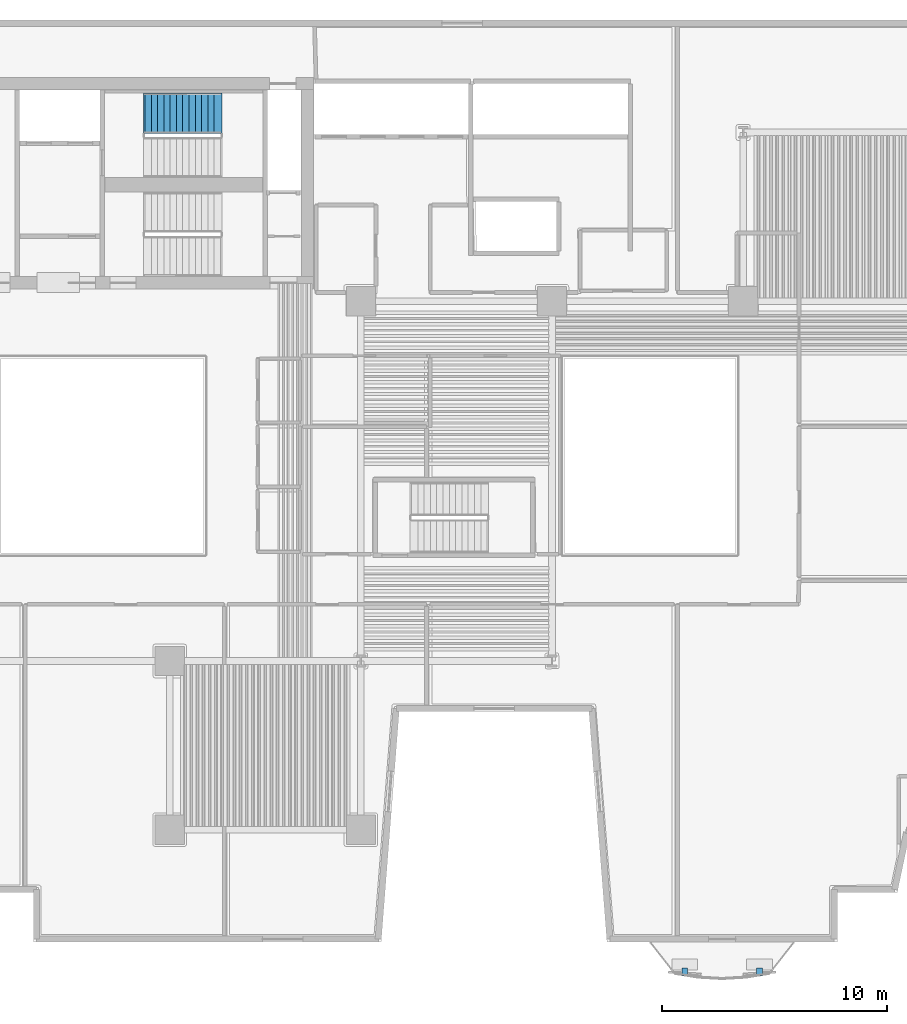
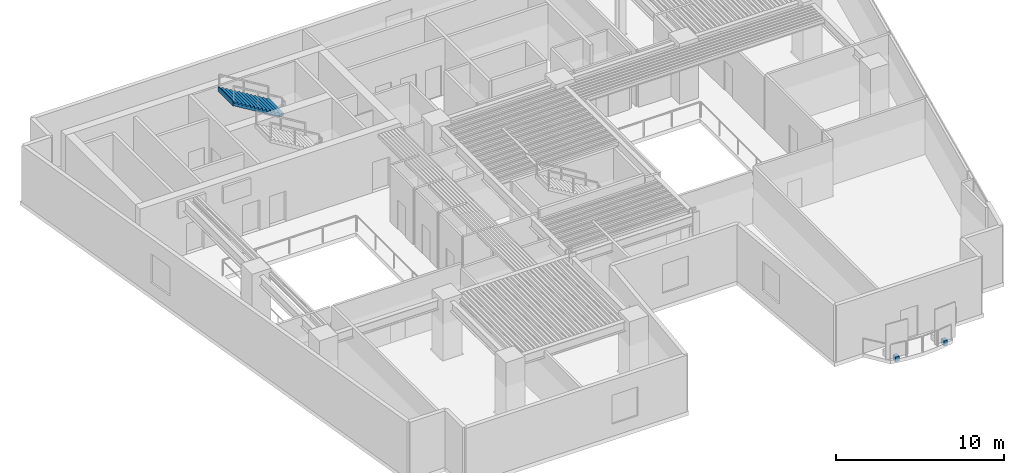
# One storey, part 7 of 12: 2 discrete accessories, 1 stair flight, 1 element without a shape of its own.
"""IFC4 building model written with IfcOpenShell, lengths in metres."""

from ifc_helpers import new_model, si_unit, direction, frame, origin, origin_2d, place, context, subcontext, project, spatial, polyline, rectangle, outline, extrude, material, type_object, element, aggregate, save


model = new_model("IFC4")

# Units and contexts
model_context = context("Model", 3, precision=1e-05, world=origin(), true_north=direction((0.0, 1.0)))
body_context = subcontext(model_context, "Body", "Model", "MODEL_VIEW")
ifc_project = project(units=[si_unit("LENGTHUNIT", "METRE"), si_unit("AREAUNIT", "SQUARE_METRE"), si_unit("VOLUMEUNIT", "CUBIC_METRE"), si_unit("PLANEANGLEUNIT", "RADIAN"), si_unit("MASSUNIT", "GRAM", prefix="KILO")], contexts=[model_context])

# Site, building, storey
site_placement = place(None, origin())
site = spatial("IfcSite", under=ifc_project, at=site_placement, CompositionType="ELEMENT")
building_placement = place(site_placement, origin())
building = spatial("IfcBuilding", under=site, at=building_placement, Name="Caeloran Harvest Quay", CompositionType="ELEMENT")
storey_placement = place(building_placement, frame((0.0, 0.0, 88.60009765625)))
storey = spatial("IfcBuildingStorey", under=building, at=storey_placement, Name="L20", CompositionType="ELEMENT", Elevation=88.60009765625)

# Stair, stair flight
ifc_material_1 = material(Name="Concrete C50/60", Category="concrete")
stair_type = type_object("IfcStairType", Name="STAIR-STC-180", PredefinedType="HALF_TURN_STAIR", material=ifc_material_1)
stair_placement = place(storey_placement, origin())
stair = element("IfcStair", 1, at=stair_placement, inside=storey, type_object=stair_type, Name="L20 Core Pressurized Exit Stair ST-C1", PredefinedType="HALF_TURN_STAIR")
stair_flight_type = type_object("IfcStairFlightType", Name="FLIGHT-STC-180", PredefinedType="STRAIGHT", material=ifc_material_1)
stair_flight_placement = place(storey_placement, frame((19.260009765625, 39.35009765625, 2.199951171875), z_axis=(0.0, 0.0, 1.0), x_axis=(-1.0, 0.0, 0.0)))
stair_flight = element("IfcStairFlight", 2, at=stair_flight_placement, type_object=stair_flight_type, Name="ST-C1 flight 2", NumberOfRisers=13, NumberOfTreads=12, PredefinedType="STRAIGHT", RiserHeight=0.169230769, TreadLength=0.28, context=body_context, shape_type="SweptSolid", body=[
    extrude(outline(polyline([(-0.054931640625, -0.044921875), (-0.054931640625, -0.031494140625), (-0.054931640625, -0.018310546875), (-0.054931640625, -0.0048828125), (-0.054931640625, 0.008544921875), (-0.054931640625, 0.02197265625), (-0.054931640625, 0.035400390625), (-0.054931640625, 0.048828125), (-0.054931640625, 0.06201171875), (-0.054931640625, 0.075439453125), (-0.054931640625, 0.0888671875), (-0.054931640625, 0.102294921875), (-0.054931640625, 0.11572265625), (-0.054931640625, 0.129150390625), (-0.054931640625, 0.142333984375), (-0.054931640625, 0.15576171875), (-0.054931640625, 0.169189453125), (0.280029296875, 0.169189453125), (0.280029296875, 0.33837890625), (0.56005859375, 0.33837890625), (0.56005859375, 0.5078125), (0.840087890625, 0.5078125), (0.840087890625, 0.677001953125), (1.1201171875, 0.677001953125), (1.1201171875, 0.84619140625), (1.39990234375, 0.84619140625), (1.39990234375, 1.015380859375), (1.679931640625, 1.015380859375), (1.679931640625, 1.1845703125), (1.9599609375, 1.1845703125), (1.9599609375, 1.353759765625), (2.239990234375, 1.353759765625), (2.239990234375, 1.523193359375), (2.52001953125, 1.523193359375), (2.52001953125, 1.6923828125), (2.800048828125, 1.6923828125), (2.800048828125, 1.861572265625), (3.080078125, 1.861572265625), (3.080078125, 2.03076171875), (3.360107421875, 2.03076171875), (3.360107421875, 2.199951171875), (3.4150390625, 2.199951171875), (3.4150390625, 2.178466796875), (3.4150390625, 2.156982421875), (3.4150390625, 2.135498046875), (3.4150390625, 2.114013671875), (3.4150390625, 2.09228515625), (3.4150390625, 2.07080078125), (3.4150390625, 2.04931640625), (3.4150390625, 2.02783203125), (3.4150390625, 2.00634765625), (3.4150390625, 1.98486328125), (3.4150390625, 1.963134765625), (3.4150390625, 1.941650390625), (3.4150390625, 1.920166015625), (3.4150390625, 1.898681640625), (3.4150390625, 1.877197265625), (3.4150390625, 1.855712890625), (3.360107421875, 1.855712890625), (0.21533203125, -0.044921875), (-0.054931640625, -0.044921875)])), frame((0.0, 0.89990234375, 0.0), z_axis=(0.0, -1.0, 0.0), x_axis=(1.0, 0.0, 0.0)), (0.0, 0.0, 1.0), 1.800048828125),
])
aggregate(stair, [stair_flight])

# Discrete accessories
ifc_material_2 = material(Name="Stainless Steel Grade 316L", Category="steel")
discrete_accessory_type = type_object("IfcDiscreteAccessoryType", Name="BRACKET-SCREEN-SS", PredefinedType="BRACKET", material=ifc_material_2)
for number, where, z_axis, x_axis, name in (
    (3, (43.218505859375, 1.181396484375, -0.22021484375), (0.0, 0.0, 1.0), (1.0, 0.0, 0.0), "L20 Balcony Screen Support Bracket 1"),
    (4, (39.8984375, 1.181396484375, -0.22021484375), (0.0, 0.0, 1.0), (1.0, 0.0, 0.0), "L20 Balcony Screen Support Bracket 2"),
):
    element("IfcDiscreteAccessory", number, at=place(storey_placement, frame(where, z_axis=z_axis, x_axis=x_axis)), inside=storey, type_object=discrete_accessory_type, Name=name, PredefinedType="BRACKET", context=body_context, shape_type="SweptSolid", body=[
        extrude(rectangle(XDim=0.260009765625, YDim=0.340087890625, at=origin_2d()), origin(), (0.0, 0.0, 1.0), 0.360107421875),
    ])

save(model, "model.ifc")
